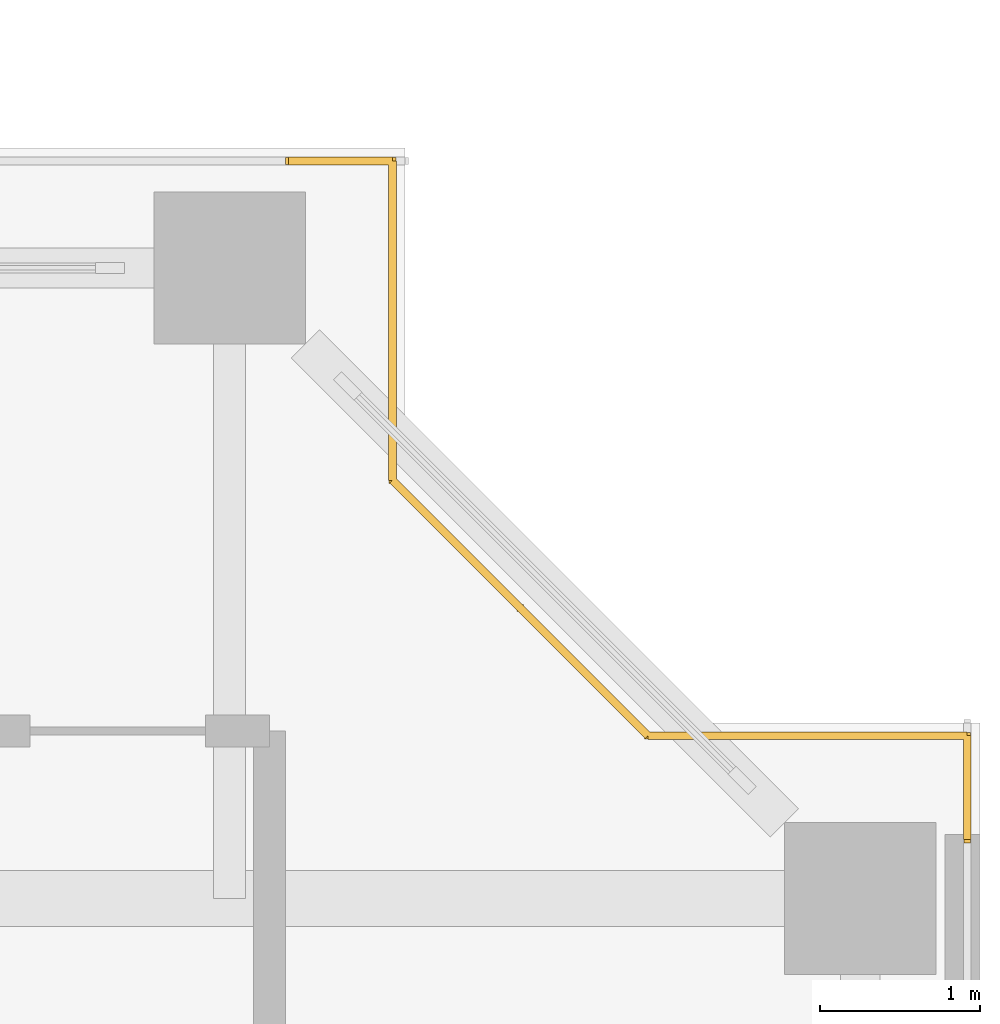
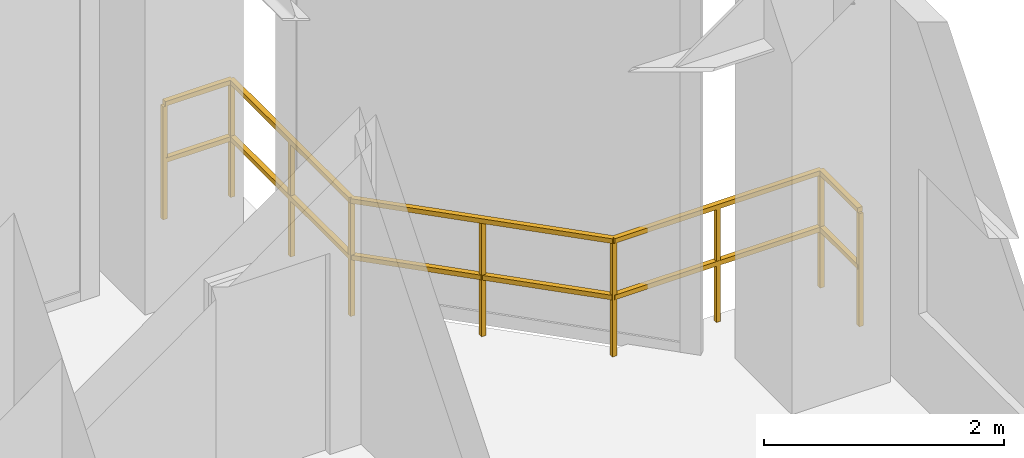
# One storey, part 26 of 26: 1 railing.
"""IFC4 building model written with IfcOpenShell, lengths in metres."""

from ifc_helpers import new_model, si_unit, direction, frame, origin, origin_2d, place, context, subcontext, project, spatial, rectangle, extrude, material, type_object, element, save


model = new_model("IFC4")

# Units and contexts
model_context = context("Model", 3, precision=1e-05, world=origin(), true_north=direction((0.0, 1.0)))
body_context = subcontext(model_context, "Body", "Model", "MODEL_VIEW")
ifc_project = project(units=[si_unit("LENGTHUNIT", "METRE"), si_unit("AREAUNIT", "SQUARE_METRE"), si_unit("VOLUMEUNIT", "CUBIC_METRE"), si_unit("PLANEANGLEUNIT", "RADIAN"), si_unit("MASSUNIT", "GRAM", prefix="KILO"), si_unit("THERMODYNAMICTEMPERATUREUNIT", "KELVIN"), si_unit("POWERUNIT", "WATT")], contexts=[model_context])

# Site, building, storey
site_placement = place(None, origin())
site = spatial("IfcSite", under=ifc_project, at=site_placement, CompositionType="ELEMENT")
building_placement = place(site_placement, origin())
building = spatial("IfcBuilding", under=site, at=building_placement, Name="Qiaomeng Ring Towers", CompositionType="ELEMENT")
storey_placement = place(building_placement, frame((0.0, 0.0, 45.75)))
storey = spatial("IfcBuildingStorey", under=building, at=storey_placement, Name="L12", CompositionType="ELEMENT", Elevation=45.75)

# Railing
ifc_material = material(Name="Low-E pale-green laminated safety glass", Category="glass")
railing_type = type_object("IfcRailingType", Name="ARC-RL-BAL1", PredefinedType="BALUSTRADE", material=ifc_material)
railing_placement = place(storey_placement, frame((73.919921875, 32.169921875, 0.0)))
element("IfcRailing", 1, at=railing_placement, inside=storey, type_object=railing_type, Name="L12 Balustrade ARC-BAL-NOTCH2-L12-NE", PredefinedType="BALUSTRADE", context=body_context, shape_type="SweptSolid", body=[
    extrude(rectangle(XDim=0.048095703125, YDim=0.048095703125, at=origin_2d()), frame((0.0, 0.0, 1.17578125), z_axis=(0.0, 1.0, 0.0), x_axis=(-1.0, 0.0, 0.0)), (0.0, 0.0, 1.0), 0.650146484375),
    extrude(rectangle(XDim=0.048095703125, YDim=0.048095703125, at=origin_2d()), frame((0.0, 0.0, 0.60009765625), z_axis=(0.0, 1.0, 0.0), x_axis=(-1.0, 0.0, 0.0)), (0.0, 0.0, 1.0), 0.650146484375),
    extrude(rectangle(XDim=0.048095703125, YDim=0.048095703125, at=origin_2d()), frame((0.0, 0.650146484375, 1.17578125), z_axis=(-1.0, 0.0, 0.0), x_axis=(0.0, -1.0, 0.0)), (0.0, 0.0, 1.0), 2.0),
    extrude(rectangle(XDim=0.048095703125, YDim=0.048095703125, at=origin_2d()), frame((0.0, 0.650146484375, 0.60009765625), z_axis=(-1.0, 0.0, 0.0), x_axis=(0.0, -1.0, 0.0)), (0.0, 0.0, 1.0), 2.0),
    extrude(rectangle(XDim=0.048095703125, YDim=0.048095703125, at=origin_2d()), frame((-2.0, 0.650146484375, 1.17578125), z_axis=(-0.707106781187, 0.707106781187, 0.0), x_axis=(-0.707106781187, -0.707106781187, 0.0)), (0.0, 0.0, 1.0), 2.262451171875),
    extrude(rectangle(XDim=0.048095703125, YDim=0.048095703125, at=origin_2d()), frame((-2.0, 0.650146484375, 0.60009765625), z_axis=(-0.707106781187, 0.707106781187, 0.0), x_axis=(-0.707106781187, -0.707106781187, 0.0)), (0.0, 0.0, 1.0), 2.262451171875),
    extrude(rectangle(XDim=0.048095703125, YDim=0.048095703125, at=origin_2d()), frame((-3.599853515625, 2.25, 1.17578125), z_axis=(0.0, 1.0, 0.0), x_axis=(-1.0, 0.0, 0.0)), (0.0, 0.0, 1.0), 2.0),
    extrude(rectangle(XDim=0.048095703125, YDim=0.048095703125, at=origin_2d()), frame((-3.599853515625, 2.25, 0.60009765625), z_axis=(0.0, 1.0, 0.0), x_axis=(-1.0, 0.0, 0.0)), (0.0, 0.0, 1.0), 2.0),
    extrude(rectangle(XDim=0.048095703125, YDim=0.048095703125, at=origin_2d()), frame((-3.599853515625, 4.25, 1.17578125), z_axis=(-1.0, 0.0, 0.0), x_axis=(0.0, -1.0, 0.0)), (0.0, 0.0, 1.0), 0.650146484375),
    extrude(rectangle(XDim=0.048095703125, YDim=0.048095703125, at=origin_2d()), frame((-3.599853515625, 4.25, 0.60009765625), z_axis=(-1.0, 0.0, 0.0), x_axis=(0.0, -1.0, 0.0)), (0.0, 0.0, 1.0), 0.650146484375),
    extrude(rectangle(XDim=0.0419921875, YDim=0.0419921875, at=origin_2d()), origin(), (0.0, 0.0, 1.0), 1.15185546875),
    extrude(rectangle(XDim=0.0419921875, YDim=0.0419921875, at=origin_2d()), frame((0.0, 0.650146484375, 0.0)), (0.0, 0.0, 1.0), 1.15185546875),
    extrude(rectangle(XDim=0.0419921875, YDim=0.0419921875, at=origin_2d()), frame((-1.0, 0.650146484375, 0.0)), (0.0, 0.0, 1.0), 1.15185546875),
    extrude(rectangle(XDim=0.0419921875, YDim=0.0419921875, at=origin_2d()), frame((-2.0, 0.650146484375, 0.0)), (0.0, 0.0, 1.0), 1.15185546875),
    extrude(rectangle(XDim=0.0419921875, YDim=0.0419921875, at=origin_2d()), frame((-2.7998046875, 1.4501953125, 0.0)), (0.0, 0.0, 1.0), 1.15185546875),
    extrude(rectangle(XDim=0.0419921875, YDim=0.0419921875, at=origin_2d()), frame((-3.599853515625, 2.25, 0.0)), (0.0, 0.0, 1.0), 1.15185546875),
    extrude(rectangle(XDim=0.0419921875, YDim=0.0419921875, at=origin_2d()), frame((-3.599853515625, 3.25, 0.0)), (0.0, 0.0, 1.0), 1.15185546875),
    extrude(rectangle(XDim=0.0419921875, YDim=0.0419921875, at=origin_2d()), frame((-3.599853515625, 4.25, 0.0)), (0.0, 0.0, 1.0), 1.15185546875),
    extrude(rectangle(XDim=0.0419921875, YDim=0.0419921875, at=origin_2d()), frame((-4.25, 4.25, 0.0)), (0.0, 0.0, 1.0), 1.15185546875),
])

save(model, "model.ifc")
